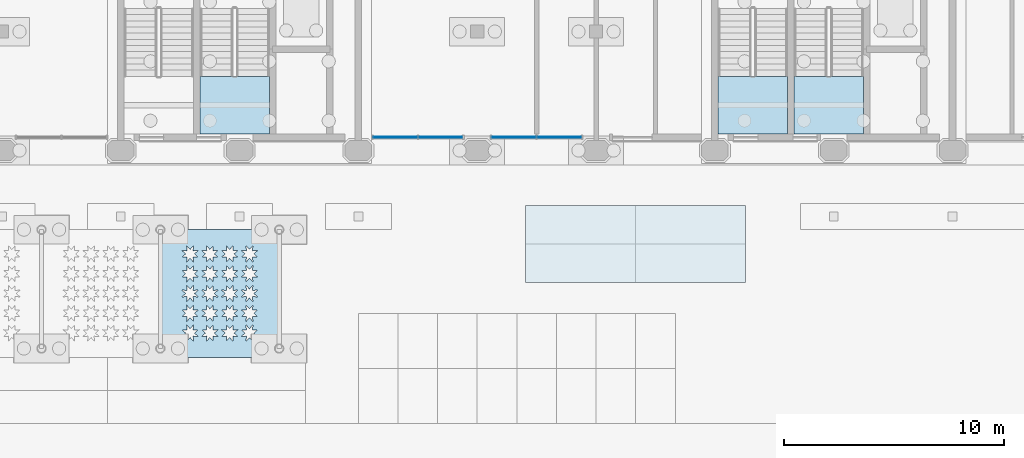
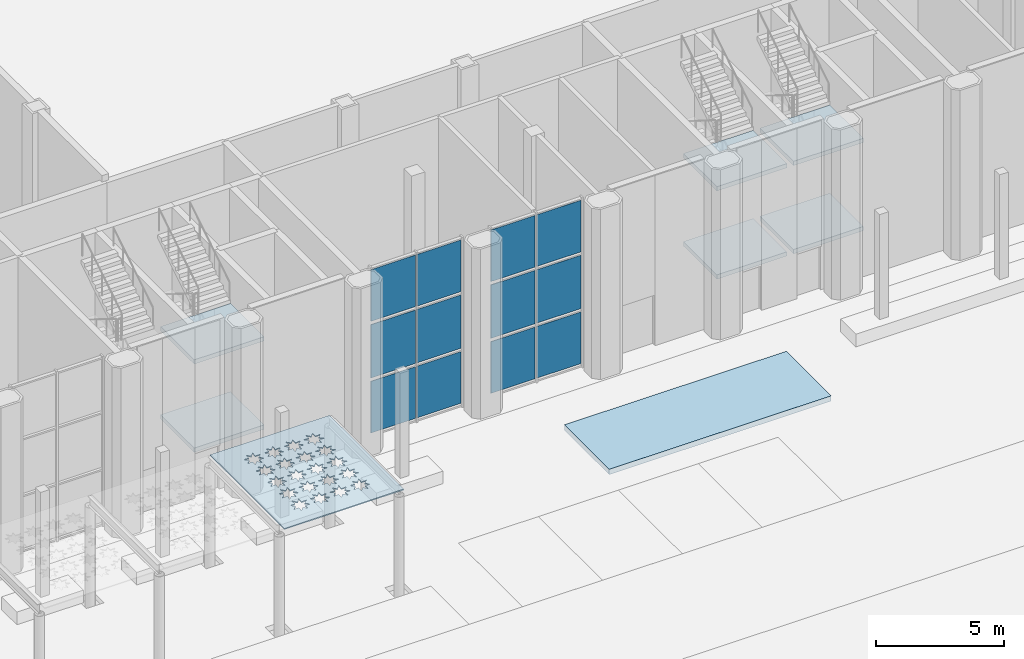
# One storey, part 22 of 54: 13 plates, 7 slabs, 5 elements without a shape of their own.
"""IFC4 building model written with IfcOpenShell, lengths in metres."""

from ifc_helpers import new_model, si_unit, direction, frame, origin, origin_2d, place, context, subcontext, project, spatial, polyline, rectangle, outline, extrude, material, layer, layer_set, type_object, element, aggregate, save


model = new_model("IFC4")

# Units and contexts
model_context = context("Model", 3, precision=1e-05, world=origin(), true_north=direction((0.0, 1.0)))
body_context = subcontext(model_context, "Body", "Model", "MODEL_VIEW")
ifc_project = project(units=[si_unit("LENGTHUNIT", "METRE"), si_unit("AREAUNIT", "SQUARE_METRE"), si_unit("VOLUMEUNIT", "CUBIC_METRE"), si_unit("PLANEANGLEUNIT", "RADIAN"), si_unit("MASSUNIT", "GRAM", prefix="KILO")], contexts=[model_context])

# Site, building, storey
site_placement = place(None, origin())
site = spatial("IfcSite", under=ifc_project, at=site_placement, CompositionType="ELEMENT")
building_placement = place(site_placement, origin())
building = spatial("IfcBuilding", under=site, at=building_placement, Name="Tabaq Tower and Sports Hall", CompositionType="ELEMENT")
storey_placement = place(building_placement, origin())
storey = spatial("IfcBuildingStorey", under=building, at=storey_placement, Name="L00", CompositionType="ELEMENT", Elevation=0.0)

# Curtain wall, plates
ifc_material_1 = material(Name="Aluminium alloy 6063-T6 framed glazing", Category="aluminium")
curtain_wall_type = type_object("IfcCurtainWallType", Name="CW6 curtain wall", PredefinedType="USERDEFINED", material=ifc_material_1)
curtain_wall_1_placement = place(storey_placement, origin())
curtain_wall_1 = element("IfcCurtainWall", 1, at=curtain_wall_1_placement, inside=storey, type_object=curtain_wall_type, Name="L00 S hall glazing run", ObjectType="HALL FACADE WALL", PredefinedType="USERDEFINED")
ifc_material_2 = material(Name="Clear low-emissivity glass 28 mm", Category="glass")
ifc_layer_1 = layer(ifc_material_2, 0.031982421875)
ifc_layer_set_1 = layer_set([ifc_layer_1], Name="CW6 glass panel 32")
plate_type_1 = type_object("IfcPlateType", Name="CW6 glass panel 32", PredefinedType="CURTAIN_PANEL", material=ifc_layer_set_1)
plate_1_placement = place(storey_placement, frame((88.0673828125, 0.60009765625, 0.159912109375), z_axis=(0.0, 0.0, 1.0), x_axis=(1.0, 0.0, 0.0)))
plate_1 = element("IfcPlate", 2, at=plate_1_placement, type_object=plate_type_1, Name="CW6 panel 1.1", PredefinedType="CURTAIN_PANEL", context=body_context, shape_type="SweptSolid", body=[
    extrude(rectangle(XDim=1.9951171875, YDim=0.031982421875, at=origin_2d()), origin(), (0.0, 0.0, 1.0), 2.4599609375),
])
plate_2_placement = place(storey_placement, frame((88.0673828125, 0.60009765625, 2.780029296875), z_axis=(0.0, 0.0, 1.0), x_axis=(1.0, 0.0, 0.0)))
plate_2 = element("IfcPlate", 3, at=plate_2_placement, type_object=plate_type_1, Name="CW6 panel 1.2", PredefinedType="CURTAIN_PANEL", context=body_context, shape_type="SweptSolid", body=[
    extrude(rectangle(XDim=1.9951171875, YDim=0.031982421875, at=origin_2d()), origin(), (0.0, 0.0, 1.0), 2.5400390625),
])
plate_3_placement = place(storey_placement, frame((88.0673828125, 0.60009765625, 5.47998046875), z_axis=(0.0, 0.0, 1.0), x_axis=(1.0, 0.0, 0.0)))
plate_3 = element("IfcPlate", 4, at=plate_3_placement, type_object=plate_type_1, Name="CW6 panel 1.3", PredefinedType="CURTAIN_PANEL", context=body_context, shape_type="SweptSolid", body=[
    extrude(rectangle(XDim=1.9951171875, YDim=0.031982421875, at=origin_2d()), origin(), (0.0, 0.0, 1.0), 2.4599609375),
])
plate_4_placement = place(storey_placement, frame((90.132568359375, 0.60009765625, 0.159912109375), z_axis=(0.0, 0.0, 1.0), x_axis=(1.0, 0.0, 0.0)))
plate_4 = element("IfcPlate", 5, at=plate_4_placement, type_object=plate_type_1, Name="CW6 panel 2.1", PredefinedType="CURTAIN_PANEL", context=body_context, shape_type="SweptSolid", body=[
    extrude(rectangle(XDim=1.9951171875, YDim=0.031982421875, at=origin_2d()), origin(), (0.0, 0.0, 1.0), 2.4599609375),
])
plate_5_placement = place(storey_placement, frame((90.132568359375, 0.60009765625, 2.780029296875), z_axis=(0.0, 0.0, 1.0), x_axis=(1.0, 0.0, 0.0)))
plate_5 = element("IfcPlate", 6, at=plate_5_placement, type_object=plate_type_1, Name="CW6 panel 2.2", PredefinedType="CURTAIN_PANEL", context=body_context, shape_type="SweptSolid", body=[
    extrude(rectangle(XDim=1.9951171875, YDim=0.031982421875, at=origin_2d()), origin(), (0.0, 0.0, 1.0), 2.5400390625),
])
plate_6_placement = place(storey_placement, frame((90.132568359375, 0.60009765625, 5.47998046875), z_axis=(0.0, 0.0, 1.0), x_axis=(1.0, 0.0, 0.0)))
plate_6 = element("IfcPlate", 7, at=plate_6_placement, type_object=plate_type_1, Name="CW6 panel 2.3", PredefinedType="CURTAIN_PANEL", context=body_context, shape_type="SweptSolid", body=[
    extrude(rectangle(XDim=1.9951171875, YDim=0.031982421875, at=origin_2d()), origin(), (0.0, 0.0, 1.0), 2.4599609375),
])
aggregate(curtain_wall_1, [plate_1, plate_2, plate_3, plate_4, plate_5, plate_6])

curtain_wall_2_placement = place(storey_placement, origin())
curtain_wall_2 = element("IfcCurtainWall", 8, at=curtain_wall_2_placement, inside=storey, type_object=curtain_wall_type, Name="L00 S hall glazing run", ObjectType="HALL FACADE WALL", PredefinedType="USERDEFINED")
plate_7_placement = place(storey_placement, frame((93.467529296875, 0.60009765625, 0.159912109375), z_axis=(0.0, 0.0, 1.0), x_axis=(1.0, 0.0, 0.0)))
plate_7 = element("IfcPlate", 9, at=plate_7_placement, type_object=plate_type_1, Name="CW6 panel 1.1", PredefinedType="CURTAIN_PANEL", context=body_context, shape_type="SweptSolid", body=[
    extrude(rectangle(XDim=1.9951171875, YDim=0.031982421875, at=origin_2d()), origin(), (0.0, 0.0, 1.0), 2.4599609375),
])
plate_8_placement = place(storey_placement, frame((93.467529296875, 0.60009765625, 2.780029296875), z_axis=(0.0, 0.0, 1.0), x_axis=(1.0, 0.0, 0.0)))
plate_8 = element("IfcPlate", 10, at=plate_8_placement, type_object=plate_type_1, Name="CW6 panel 1.2", PredefinedType="CURTAIN_PANEL", context=body_context, shape_type="SweptSolid", body=[
    extrude(rectangle(XDim=1.9951171875, YDim=0.031982421875, at=origin_2d()), origin(), (0.0, 0.0, 1.0), 2.5400390625),
])
plate_9_placement = place(storey_placement, frame((93.467529296875, 0.60009765625, 5.47998046875), z_axis=(0.0, 0.0, 1.0), x_axis=(1.0, 0.0, 0.0)))
plate_9 = element("IfcPlate", 11, at=plate_9_placement, type_object=plate_type_1, Name="CW6 panel 1.3", PredefinedType="CURTAIN_PANEL", context=body_context, shape_type="SweptSolid", body=[
    extrude(rectangle(XDim=1.9951171875, YDim=0.031982421875, at=origin_2d()), origin(), (0.0, 0.0, 1.0), 2.4599609375),
])
plate_10_placement = place(storey_placement, frame((95.532470703125, 0.60009765625, 0.159912109375), z_axis=(0.0, 0.0, 1.0), x_axis=(1.0, 0.0, 0.0)))
plate_10 = element("IfcPlate", 12, at=plate_10_placement, type_object=plate_type_1, Name="CW6 panel 2.1", PredefinedType="CURTAIN_PANEL", context=body_context, shape_type="SweptSolid", body=[
    extrude(rectangle(XDim=1.9951171875, YDim=0.031982421875, at=origin_2d()), origin(), (0.0, 0.0, 1.0), 2.4599609375),
])
plate_11_placement = place(storey_placement, frame((95.532470703125, 0.60009765625, 2.780029296875), z_axis=(0.0, 0.0, 1.0), x_axis=(1.0, 0.0, 0.0)))
plate_11 = element("IfcPlate", 13, at=plate_11_placement, type_object=plate_type_1, Name="CW6 panel 2.2", PredefinedType="CURTAIN_PANEL", context=body_context, shape_type="SweptSolid", body=[
    extrude(rectangle(XDim=1.9951171875, YDim=0.031982421875, at=origin_2d()), origin(), (0.0, 0.0, 1.0), 2.5400390625),
])
plate_12_placement = place(storey_placement, frame((95.532470703125, 0.60009765625, 5.47998046875), z_axis=(0.0, 0.0, 1.0), x_axis=(1.0, 0.0, 0.0)))
plate_12 = element("IfcPlate", 14, at=plate_12_placement, type_object=plate_type_1, Name="CW6 panel 2.3", PredefinedType="CURTAIN_PANEL", context=body_context, shape_type="SweptSolid", body=[
    extrude(rectangle(XDim=1.9951171875, YDim=0.031982421875, at=origin_2d()), origin(), (0.0, 0.0, 1.0), 2.4599609375),
])
aggregate(curtain_wall_2, [plate_7, plate_8, plate_9, plate_10, plate_11, plate_12])

# Stair, slabs
ifc_material_3 = material(Name="Concrete C40/50", Category="concrete")
stair_type = type_object("IfcStairType", Name="HALL STAIR HALF-TURN", PredefinedType="HALF_TURN_STAIR", material=ifc_material_3)
stair_1_placement = place(storey_placement, origin())
stair_1 = element("IfcStair", 15, at=stair_1_placement, inside=storey, type_object=stair_type, Name="L00 Stair H2", PredefinedType="HALF_TURN_STAIR")
ifc_material_4 = material(Name="Concrete C40/50", Category="concrete")
ifc_layer_2 = layer(ifc_material_4, 0.199951171875)
ifc_layer_set_2 = layer_set([ifc_layer_2], Name="HALL STAIR LANDING 200")
slab_type_1 = type_object("IfcSlabType", Name="HALL STAIR LANDING 200", PredefinedType="LANDING", material=ifc_layer_set_2)
slab_1_placement = place(storey_placement, frame((0.0, 0.0, 1.89990234375)))
slab_1 = element("IfcSlab", 16, at=slab_1_placement, type_object=slab_type_1, Name="ST-H2 landing 1", PredefinedType="LANDING", context=body_context, shape_type="SweptSolid", body=[
    extrude(outline(polyline([(79.199951171875, 3.3701171875), (79.199951171875, 0.75), (82.35009765625, 0.75), (82.35009765625, 3.3701171875), (79.199951171875, 3.3701171875)])), origin(), (0.0, 0.0, 1.0), 0.2001953125),
])
slab_2_placement = place(storey_placement, frame((0.0, 0.0, 6.10009765625)))
slab_2 = element("IfcSlab", 17, at=slab_2_placement, type_object=slab_type_1, Name="ST-H2 landing 3", PredefinedType="LANDING", context=body_context, shape_type="SweptSolid", body=[
    extrude(outline(polyline([(79.199951171875, 3.3701171875), (79.199951171875, 0.75), (82.35009765625, 0.75), (82.35009765625, 3.3701171875), (79.199951171875, 3.3701171875)])), origin(), (0.0, 0.0, 1.0), 0.199951171875),
])
aggregate(stair_1, [slab_1, slab_2])

stair_2_placement = place(storey_placement, origin())
stair_2 = element("IfcStair", 18, at=stair_2_placement, inside=storey, type_object=stair_type, Name="L00 Stair H3", PredefinedType="HALF_TURN_STAIR")
slab_3_placement = place(storey_placement, frame((0.0, 0.0, 1.89990234375)))
slab_3 = element("IfcSlab", 19, at=slab_3_placement, type_object=slab_type_1, Name="ST-H3 landing 1", PredefinedType="LANDING", context=body_context, shape_type="SweptSolid", body=[
    extrude(outline(polyline([(102.75, 3.3701171875), (102.75, 0.75), (105.89990234375, 0.75), (105.89990234375, 3.3701171875), (102.75, 3.3701171875)])), origin(), (0.0, 0.0, 1.0), 0.2001953125),
])
slab_4_placement = place(storey_placement, frame((0.0, 0.0, 6.10009765625)))
slab_4 = element("IfcSlab", 20, at=slab_4_placement, type_object=slab_type_1, Name="ST-H3 landing 3", PredefinedType="LANDING", context=body_context, shape_type="SweptSolid", body=[
    extrude(outline(polyline([(102.75, 3.3701171875), (102.75, 0.75), (105.89990234375, 0.75), (105.89990234375, 3.3701171875), (102.75, 3.3701171875)])), origin(), (0.0, 0.0, 1.0), 0.199951171875),
])
aggregate(stair_2, [slab_3, slab_4])

stair_3_placement = place(storey_placement, origin())
stair_3 = element("IfcStair", 21, at=stair_3_placement, inside=storey, type_object=stair_type, Name="L00 Stair H4", PredefinedType="HALF_TURN_STAIR")
slab_5_placement = place(storey_placement, frame((0.0, 0.0, 1.89990234375)))
slab_5 = element("IfcSlab", 22, at=slab_5_placement, type_object=slab_type_1, Name="ST-H4 landing 1", PredefinedType="LANDING", context=body_context, shape_type="SweptSolid", body=[
    extrude(outline(polyline([(106.199951171875, 3.3701171875), (106.199951171875, 0.75), (109.35009765625, 0.75), (109.35009765625, 3.3701171875), (106.199951171875, 3.3701171875)])), origin(), (0.0, 0.0, 1.0), 0.2001953125),
])
slab_6_placement = place(storey_placement, frame((0.0, 0.0, 6.10009765625)))
slab_6 = element("IfcSlab", 23, at=slab_6_placement, type_object=slab_type_1, Name="ST-H4 landing 3", PredefinedType="LANDING", context=body_context, shape_type="SweptSolid", body=[
    extrude(outline(polyline([(106.199951171875, 3.3701171875), (106.199951171875, 0.75), (109.35009765625, 0.75), (109.35009765625, 3.3701171875), (106.199951171875, 3.3701171875)])), origin(), (0.0, 0.0, 1.0), 0.199951171875),
])
aggregate(stair_3, [slab_5, slab_6])

# Slab
ifc_material_5 = material(Name="Concrete C35/45 heavy-duty paving", Category="concrete")
ifc_layer_3 = layer(ifc_material_5, 0.300048828125)
ifc_layer_set_3 = layer_set([ifc_layer_3], Name="HEAVY DUTY PAVING 300")
slab_type_2 = type_object("IfcSlabType", Name="HEAVY DUTY PAVING 300", PredefinedType="USERDEFINED", material=ifc_layer_set_3)
slab_7_placement = place(storey_placement, frame((0.0, 0.0, -0.25)))
element("IfcSlab", 24, at=slab_7_placement, inside=storey, type_object=slab_type_2, Name="Loading bay 3.5 x 10 m", ObjectType="PAVING", PredefinedType="USERDEFINED", context=body_context, shape_type="SweptSolid", body=[
    extrude(outline(polyline([(104.0, -6.0), (104.0, -2.5), (94.0, -2.5), (94.0, -6.0), (104.0, -6.0)])), origin(), (0.0, 0.0, 1.0), 0.25),
])

# Plate
ifc_material_6 = material(Name="Stainless steel grade 1.4401 pierced panel", Category="steel")
ifc_layer_4 = layer(ifc_material_6, 0.050048828125)
ifc_layer_set_4 = layer_set([ifc_layer_4], Name="SCREEN PIERCED STAR PANEL 50")
plate_type_2 = type_object("IfcPlateType", Name="SCREEN PIERCED STAR PANEL 50", PredefinedType="USERDEFINED", material=ifc_layer_set_4)
plate_13_placement = place(storey_placement, frame((0.0, 0.0, 5.0)))
element("IfcPlate", 25, at=plate_13_placement, inside=storey, type_object=plate_type_2, Name="Drop-off canopy screen 3", ObjectType="SCREEN", PredefinedType="USERDEFINED", context=body_context, shape_type="SweptSolid", body=[
    extrude(outline(polyline([(77.409912109375, -9.39990234375), (82.7900390625, -9.39990234375), (82.7900390625, -3.60009765625), (77.409912109375, -3.60009765625), (77.409912109375, -9.39990234375)]), holes=[polyline([(78.949951171875, -8.300048828125), (79.11962890625, -8.453125), (78.891357421875, -8.44140625), (78.903076171875, -8.669677734375), (78.75, -8.5), (78.596923828125, -8.669677734375), (78.608642578125, -8.44140625), (78.38037109375, -8.453125), (78.550048828125, -8.300048828125), (78.38037109375, -8.14697265625), (78.608642578125, -8.15869140625), (78.596923828125, -7.930419921875), (78.75, -8.10009765625), (78.903076171875, -7.930419921875), (78.891357421875, -8.15869140625), (79.11962890625, -8.14697265625), (78.949951171875, -8.300048828125)]), polyline([(78.949951171875, -7.39990234375), (79.11962890625, -7.552978515625), (78.891357421875, -7.54150390625), (78.903076171875, -7.76953125), (78.75, -7.60009765625), (78.596923828125, -7.76953125), (78.608642578125, -7.54150390625), (78.38037109375, -7.552978515625), (78.550048828125, -7.39990234375), (78.38037109375, -7.246826171875), (78.608642578125, -7.258544921875), (78.596923828125, -7.030517578125), (78.75, -7.199951171875), (78.903076171875, -7.030517578125), (78.891357421875, -7.258544921875), (79.11962890625, -7.246826171875), (78.949951171875, -7.39990234375)]), polyline([(78.949951171875, -6.5), (79.11962890625, -6.653076171875), (78.891357421875, -6.641357421875), (78.903076171875, -6.86962890625), (78.75, -6.699951171875), (78.596923828125, -6.86962890625), (78.608642578125, -6.641357421875), (78.38037109375, -6.653076171875), (78.550048828125, -6.5), (78.38037109375, -6.346923828125), (78.608642578125, -6.358642578125), (78.596923828125, -6.13037109375), (78.75, -6.300048828125), (78.903076171875, -6.13037109375), (78.891357421875, -6.358642578125), (79.11962890625, -6.346923828125), (78.949951171875, -6.5)]), polyline([(78.949951171875, -5.60009765625), (79.11962890625, -5.753173828125), (78.891357421875, -5.741455078125), (78.903076171875, -5.969482421875), (78.75, -5.800048828125), (78.596923828125, -5.969482421875), (78.608642578125, -5.741455078125), (78.38037109375, -5.753173828125), (78.550048828125, -5.60009765625), (78.38037109375, -5.447021484375), (78.608642578125, -5.45849609375), (78.596923828125, -5.23046875), (78.75, -5.39990234375), (78.903076171875, -5.23046875), (78.891357421875, -5.45849609375), (79.11962890625, -5.447021484375), (78.949951171875, -5.60009765625)]), polyline([(78.949951171875, -4.699951171875), (79.11962890625, -4.85302734375), (78.891357421875, -4.84130859375), (78.903076171875, -5.069580078125), (78.75, -4.89990234375), (78.596923828125, -5.069580078125), (78.608642578125, -4.84130859375), (78.38037109375, -4.85302734375), (78.550048828125, -4.699951171875), (78.38037109375, -4.546875), (78.608642578125, -4.55859375), (78.596923828125, -4.330322265625), (78.75, -4.5), (78.903076171875, -4.330322265625), (78.891357421875, -4.55859375), (79.11962890625, -4.546875), (78.949951171875, -4.699951171875)]), polyline([(79.85009765625, -8.300048828125), (80.01953125, -8.453125), (79.79150390625, -8.44140625), (79.802978515625, -8.669677734375), (79.64990234375, -8.5), (79.496826171875, -8.669677734375), (79.508544921875, -8.44140625), (79.280517578125, -8.453125), (79.449951171875, -8.300048828125), (79.280517578125, -8.14697265625), (79.508544921875, -8.15869140625), (79.496826171875, -7.930419921875), (79.64990234375, -8.10009765625), (79.802978515625, -7.930419921875), (79.79150390625, -8.15869140625), (80.01953125, -8.14697265625), (79.85009765625, -8.300048828125)]), polyline([(79.85009765625, -7.39990234375), (80.01953125, -7.552978515625), (79.79150390625, -7.54150390625), (79.802978515625, -7.76953125), (79.64990234375, -7.60009765625), (79.496826171875, -7.76953125), (79.508544921875, -7.54150390625), (79.280517578125, -7.552978515625), (79.449951171875, -7.39990234375), (79.280517578125, -7.246826171875), (79.508544921875, -7.258544921875), (79.496826171875, -7.030517578125), (79.64990234375, -7.199951171875), (79.802978515625, -7.030517578125), (79.79150390625, -7.258544921875), (80.01953125, -7.246826171875), (79.85009765625, -7.39990234375)]), polyline([(79.85009765625, -6.5), (80.01953125, -6.653076171875), (79.79150390625, -6.641357421875), (79.802978515625, -6.86962890625), (79.64990234375, -6.699951171875), (79.496826171875, -6.86962890625), (79.508544921875, -6.641357421875), (79.280517578125, -6.653076171875), (79.449951171875, -6.5), (79.280517578125, -6.346923828125), (79.508544921875, -6.358642578125), (79.496826171875, -6.13037109375), (79.64990234375, -6.300048828125), (79.802978515625, -6.13037109375), (79.79150390625, -6.358642578125), (80.01953125, -6.346923828125), (79.85009765625, -6.5)]), polyline([(79.85009765625, -5.60009765625), (80.01953125, -5.753173828125), (79.79150390625, -5.741455078125), (79.802978515625, -5.969482421875), (79.64990234375, -5.800048828125), (79.496826171875, -5.969482421875), (79.508544921875, -5.741455078125), (79.280517578125, -5.753173828125), (79.449951171875, -5.60009765625), (79.280517578125, -5.447021484375), (79.508544921875, -5.45849609375), (79.496826171875, -5.23046875), (79.64990234375, -5.39990234375), (79.802978515625, -5.23046875), (79.79150390625, -5.45849609375), (80.01953125, -5.447021484375), (79.85009765625, -5.60009765625)]), polyline([(79.85009765625, -4.699951171875), (80.01953125, -4.85302734375), (79.79150390625, -4.84130859375), (79.802978515625, -5.069580078125), (79.64990234375, -4.89990234375), (79.496826171875, -5.069580078125), (79.508544921875, -4.84130859375), (79.280517578125, -4.85302734375), (79.449951171875, -4.699951171875), (79.280517578125, -4.546875), (79.508544921875, -4.55859375), (79.496826171875, -4.330322265625), (79.64990234375, -4.5), (79.802978515625, -4.330322265625), (79.79150390625, -4.55859375), (80.01953125, -4.546875), (79.85009765625, -4.699951171875)]), polyline([(80.75, -8.300048828125), (80.919677734375, -8.453125), (80.69140625, -8.44140625), (80.703125, -8.669677734375), (80.550048828125, -8.5), (80.39697265625, -8.669677734375), (80.40869140625, -8.44140625), (80.180419921875, -8.453125), (80.35009765625, -8.300048828125), (80.180419921875, -8.14697265625), (80.40869140625, -8.15869140625), (80.39697265625, -7.930419921875), (80.550048828125, -8.10009765625), (80.703125, -7.930419921875), (80.69140625, -8.15869140625), (80.919677734375, -8.14697265625), (80.75, -8.300048828125)]), polyline([(80.75, -7.39990234375), (80.919677734375, -7.552978515625), (80.69140625, -7.54150390625), (80.703125, -7.76953125), (80.550048828125, -7.60009765625), (80.39697265625, -7.76953125), (80.40869140625, -7.54150390625), (80.180419921875, -7.552978515625), (80.35009765625, -7.39990234375), (80.180419921875, -7.246826171875), (80.40869140625, -7.258544921875), (80.39697265625, -7.030517578125), (80.550048828125, -7.199951171875), (80.703125, -7.030517578125), (80.69140625, -7.258544921875), (80.919677734375, -7.246826171875), (80.75, -7.39990234375)]), polyline([(80.75, -6.5), (80.919677734375, -6.653076171875), (80.69140625, -6.641357421875), (80.703125, -6.86962890625), (80.550048828125, -6.699951171875), (80.39697265625, -6.86962890625), (80.40869140625, -6.641357421875), (80.180419921875, -6.653076171875), (80.35009765625, -6.5), (80.180419921875, -6.346923828125), (80.40869140625, -6.358642578125), (80.39697265625, -6.13037109375), (80.550048828125, -6.300048828125), (80.703125, -6.13037109375), (80.69140625, -6.358642578125), (80.919677734375, -6.346923828125), (80.75, -6.5)]), polyline([(80.75, -5.60009765625), (80.919677734375, -5.753173828125), (80.69140625, -5.741455078125), (80.703125, -5.969482421875), (80.550048828125, -5.800048828125), (80.39697265625, -5.969482421875), (80.40869140625, -5.741455078125), (80.180419921875, -5.753173828125), (80.35009765625, -5.60009765625), (80.180419921875, -5.447021484375), (80.40869140625, -5.45849609375), (80.39697265625, -5.23046875), (80.550048828125, -5.39990234375), (80.703125, -5.23046875), (80.69140625, -5.45849609375), (80.919677734375, -5.447021484375), (80.75, -5.60009765625)]), polyline([(80.75, -4.699951171875), (80.919677734375, -4.85302734375), (80.69140625, -4.84130859375), (80.703125, -5.069580078125), (80.550048828125, -4.89990234375), (80.39697265625, -5.069580078125), (80.40869140625, -4.84130859375), (80.180419921875, -4.85302734375), (80.35009765625, -4.699951171875), (80.180419921875, -4.546875), (80.40869140625, -4.55859375), (80.39697265625, -4.330322265625), (80.550048828125, -4.5), (80.703125, -4.330322265625), (80.69140625, -4.55859375), (80.919677734375, -4.546875), (80.75, -4.699951171875)]), polyline([(81.64990234375, -8.300048828125), (81.819580078125, -8.453125), (81.59130859375, -8.44140625), (81.60302734375, -8.669677734375), (81.449951171875, -8.5), (81.296875, -8.669677734375), (81.30859375, -8.44140625), (81.080322265625, -8.453125), (81.25, -8.300048828125), (81.080322265625, -8.14697265625), (81.30859375, -8.15869140625), (81.296875, -7.930419921875), (81.449951171875, -8.10009765625), (81.60302734375, -7.930419921875), (81.59130859375, -8.15869140625), (81.819580078125, -8.14697265625), (81.64990234375, -8.300048828125)]), polyline([(81.64990234375, -7.39990234375), (81.819580078125, -7.552978515625), (81.59130859375, -7.54150390625), (81.60302734375, -7.76953125), (81.449951171875, -7.60009765625), (81.296875, -7.76953125), (81.30859375, -7.54150390625), (81.080322265625, -7.552978515625), (81.25, -7.39990234375), (81.080322265625, -7.246826171875), (81.30859375, -7.258544921875), (81.296875, -7.030517578125), (81.449951171875, -7.199951171875), (81.60302734375, -7.030517578125), (81.59130859375, -7.258544921875), (81.819580078125, -7.246826171875), (81.64990234375, -7.39990234375)]), polyline([(81.64990234375, -6.5), (81.819580078125, -6.653076171875), (81.59130859375, -6.641357421875), (81.60302734375, -6.86962890625), (81.449951171875, -6.699951171875), (81.296875, -6.86962890625), (81.30859375, -6.641357421875), (81.080322265625, -6.653076171875), (81.25, -6.5), (81.080322265625, -6.346923828125), (81.30859375, -6.358642578125), (81.296875, -6.13037109375), (81.449951171875, -6.300048828125), (81.60302734375, -6.13037109375), (81.59130859375, -6.358642578125), (81.819580078125, -6.346923828125), (81.64990234375, -6.5)]), polyline([(81.64990234375, -5.60009765625), (81.819580078125, -5.753173828125), (81.59130859375, -5.741455078125), (81.60302734375, -5.969482421875), (81.449951171875, -5.800048828125), (81.296875, -5.969482421875), (81.30859375, -5.741455078125), (81.080322265625, -5.753173828125), (81.25, -5.60009765625), (81.080322265625, -5.447021484375), (81.30859375, -5.45849609375), (81.296875, -5.23046875), (81.449951171875, -5.39990234375), (81.60302734375, -5.23046875), (81.59130859375, -5.45849609375), (81.819580078125, -5.447021484375), (81.64990234375, -5.60009765625)]), polyline([(81.64990234375, -4.699951171875), (81.819580078125, -4.85302734375), (81.59130859375, -4.84130859375), (81.60302734375, -5.069580078125), (81.449951171875, -4.89990234375), (81.296875, -5.069580078125), (81.30859375, -4.84130859375), (81.080322265625, -4.85302734375), (81.25, -4.699951171875), (81.080322265625, -4.546875), (81.30859375, -4.55859375), (81.296875, -4.330322265625), (81.449951171875, -4.5), (81.60302734375, -4.330322265625), (81.59130859375, -4.55859375), (81.819580078125, -4.546875), (81.64990234375, -4.699951171875)])]), origin(), (0.0, 0.0, 1.0), 0.050048828125),
])

save(model, "model.ifc")
